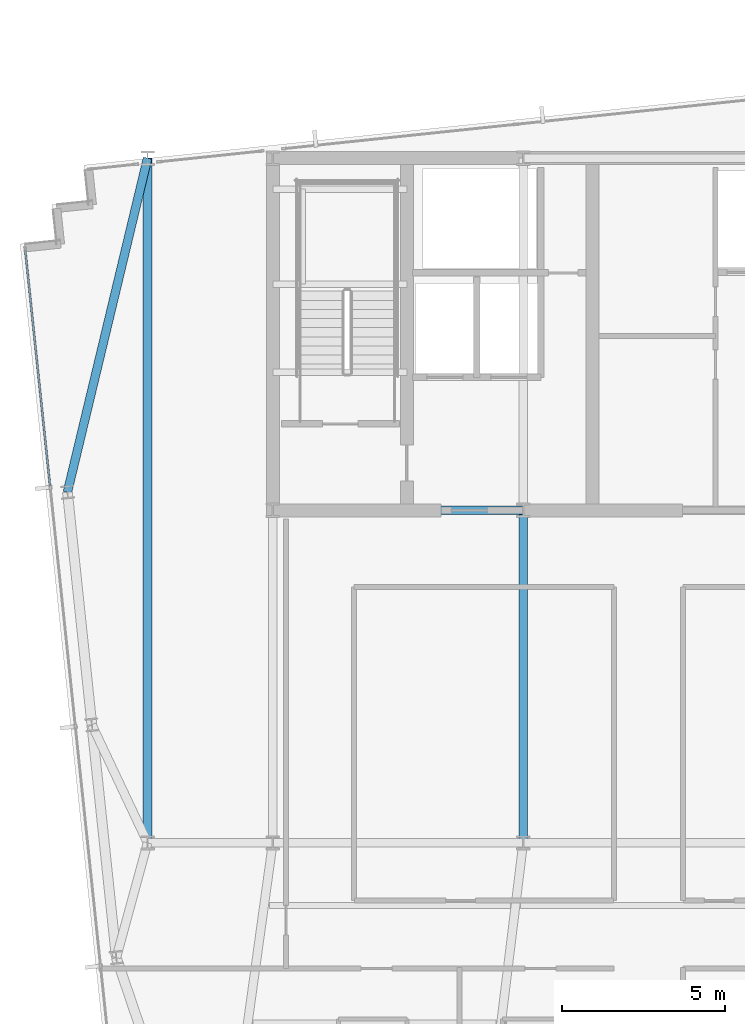
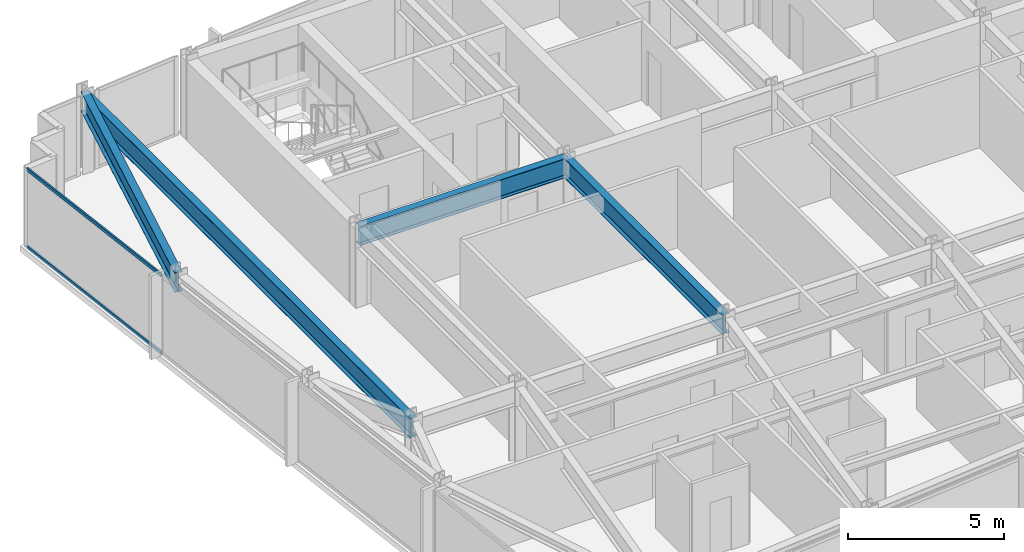
# One storey, part 11 of 33: 4 beams, 2 members, 1 element without a shape of its own.
"""IFC4 building model written with IfcOpenShell, lengths in metres."""

from ifc_helpers import new_model, si_unit, direction, frame, origin, origin_2d, place, context, subcontext, project, spatial, hollow_rectangle, i_section, extrude, material, material_profile, profile_set, type_object, element, aggregate, save


model = new_model("IFC4")

# Units and contexts
model_context = context("Model", 3, precision=1e-05, world=origin(), true_north=direction((0.0, 1.0)))
body_context = subcontext(model_context, "Body", "Model", "MODEL_VIEW")
ifc_project = project(units=[si_unit("LENGTHUNIT", "METRE"), si_unit("AREAUNIT", "SQUARE_METRE"), si_unit("VOLUMEUNIT", "CUBIC_METRE"), si_unit("PLANEANGLEUNIT", "RADIAN"), si_unit("MASSUNIT", "GRAM", prefix="KILO")], contexts=[model_context])

# Site, building, storey
site_placement = place(None, origin())
site = spatial("IfcSite", under=ifc_project, at=site_placement, CompositionType="ELEMENT")
building_placement = place(site_placement, origin())
building = spatial("IfcBuilding", under=site, at=building_placement, Name="Yelkora Congress Tower", CompositionType="ELEMENT")
storey_placement = place(building_placement, frame((0.0, 0.0, 234.199951171875)))
storey = spatial("IfcBuildingStorey", under=building, at=storey_placement, Name="L65", CompositionType="ELEMENT", Elevation=234.199951171875)

# Beams
ifc_material_1 = material(Name="Steel S355J2", Category="steel")
ifc_material_profile_1 = material_profile(ifc_material_1, i_section(OverallWidth=0.26708984375, OverallDepth=0.761962890625, WebThickness=0.014404296875, FlangeThickness=0.021484375, FilletRadius=0.01708984375, at=origin_2d()), Name="IPE 750x173")
ifc_profile_set_1 = profile_set([ifc_material_profile_1], Name="Steel S355J2")
beam_type = type_object("IfcBeamType", Name="BM-GIRD-IPE750", PredefinedType="BEAM", material=ifc_profile_set_1)
beam_1_placement = place(storey_placement, frame((23.0400390625, 35.39990234375, 2.698974609375), z_axis=(1.0, 0.0, 0.0), x_axis=(0.0, 1.0, 0.0)))
element("IfcBeam", 1, at=beam_1_placement, inside=storey, type_object=beam_type, Name="L65 Core South Girder 1", PredefinedType="BEAM", context=body_context, shape_type="SweptSolid", body=[
    extrude(i_section(OverallWidth=0.26708984375, OverallDepth=0.761962890625, WebThickness=0.014404296875, FlangeThickness=0.021484375, FilletRadius=0.01708984375, at=origin_2d()), origin(), (0.0, 0.0, 1.0), 7.679931640625),
])
beam_2_placement = place(storey_placement, frame((30.719970703125, 25.199951171875, 2.698974609375), z_axis=(0.0, 1.0, 0.0), x_axis=(-1.0, 0.0, 0.0)))
element("IfcBeam", 2, at=beam_2_placement, inside=storey, type_object=beam_type, Name="L65 Core Tie Girder MC-D2", PredefinedType="BEAM", context=body_context, shape_type="SweptSolid", body=[
    extrude(i_section(OverallWidth=0.26708984375, OverallDepth=0.761962890625, WebThickness=0.014404296875, FlangeThickness=0.021484375, FilletRadius=0.01708984375, at=origin_2d()), origin(), (0.0, 0.0, 1.0), 10.199951171875),
])
beam_3_placement = place(storey_placement, frame((19.199951171875, 25.199951171875, 2.698974609375), z_axis=(0.0, 1.0, 0.0), x_axis=(-1.0, 0.0, 0.0)))
element("IfcBeam", 3, at=beam_3_placement, inside=storey, type_object=beam_type, Name="L65 Neck Flank Girder MC-F1", PredefinedType="BEAM", context=body_context, shape_type="SweptSolid", body=[
    extrude(i_section(OverallWidth=0.26708984375, OverallDepth=0.761962890625, WebThickness=0.014404296875, FlangeThickness=0.021484375, FilletRadius=0.01708984375, at=origin_2d()), origin(), (0.0, 0.0, 1.0), 21.0),
])
beam_4_placement = place(storey_placement, frame((16.7412109375, 35.95458984375, 2.698974609375), z_axis=(0.233359806768, 0.972390456856, 0.0), x_axis=(-0.972390456856, 0.233359806768, 0.0)))
element("IfcBeam", 4, at=beam_4_placement, inside=storey, type_object=beam_type, Name="L65 Primary Frame Girder W03", PredefinedType="BEAM", context=body_context, shape_type="SweptSolid", body=[
    extrude(i_section(OverallWidth=0.26708984375, OverallDepth=0.761962890625, WebThickness=0.014404296875, FlangeThickness=0.021484375, FilletRadius=0.01708984375, at=origin_2d()), origin(), (0.0, 0.0, 1.0), 10.536376953125),
])

# Curtain wall, members
ifc_material_2 = material(Name="Anodised aluminium and insulated glass", Category="aluminium")
curtain_wall_type = type_object("IfcCurtainWallType", Name="CW-SYS-B4", PredefinedType="NOTDEFINED", material=ifc_material_2)
curtain_wall_placement = place(storey_placement, origin())
curtain_wall = element("IfcCurtainWall", 5, at=curtain_wall_placement, inside=storey, type_object=curtain_wall_type, Name="L65 Unitised Curtain Wall 5", PredefinedType="NOTDEFINED")
ifc_material_3 = material(Name="Anodised aluminium 6063-T6", Category="aluminium")
ifc_material_profile_2 = material_profile(ifc_material_3, hollow_rectangle(XDim=0.06005859375, YDim=0.1298828125, WallThickness=0.00390625, at=origin_2d()), Name="ALU 60x130x4")
ifc_profile_set_2 = profile_set([ifc_material_profile_2], Name="Anodised aluminium 6063-T6")
member_type = type_object("IfcMemberType", Name="MEM-TR-B4", PredefinedType="USERDEFINED", material=ifc_profile_set_2)
member_1_placement = place(storey_placement, frame((16.208984375, 36.137451171875, 0.030029296875), z_axis=(-0.104494567873, 0.994525457334, 0.0), x_axis=(-0.994525457334, -0.104494567873, 0.0)))
member_1 = element("IfcMember", 6, at=member_1_placement, type_object=member_type, Name="CW-B4 transom 4.1", ObjectType="TRANSOM", PredefinedType="USERDEFINED", context=body_context, shape_type="SweptSolid", body=[
    extrude(hollow_rectangle(XDim=0.06005859375, YDim=0.1298828125, WallThickness=0.00390625, at=origin_2d()), origin(), (0.0, 0.0, 1.0), 7.282470703125),
])
member_2_placement = place(storey_placement, frame((16.208984375, 36.137451171875, 3.050048828125), z_axis=(-0.104494567873, 0.994525457334, 0.0), x_axis=(-0.994525457334, -0.104494567873, 0.0)))
member_2 = element("IfcMember", 7, at=member_2_placement, type_object=member_type, Name="CW-B4 transom 4.2", ObjectType="TRANSOM", PredefinedType="USERDEFINED", context=body_context, shape_type="SweptSolid", body=[
    extrude(hollow_rectangle(XDim=0.06005859375, YDim=0.1298828125, WallThickness=0.00390625, at=origin_2d()), origin(), (0.0, 0.0, 1.0), 7.282470703125),
])
aggregate(curtain_wall, [member_1, member_2])

save(model, "model.ifc")
